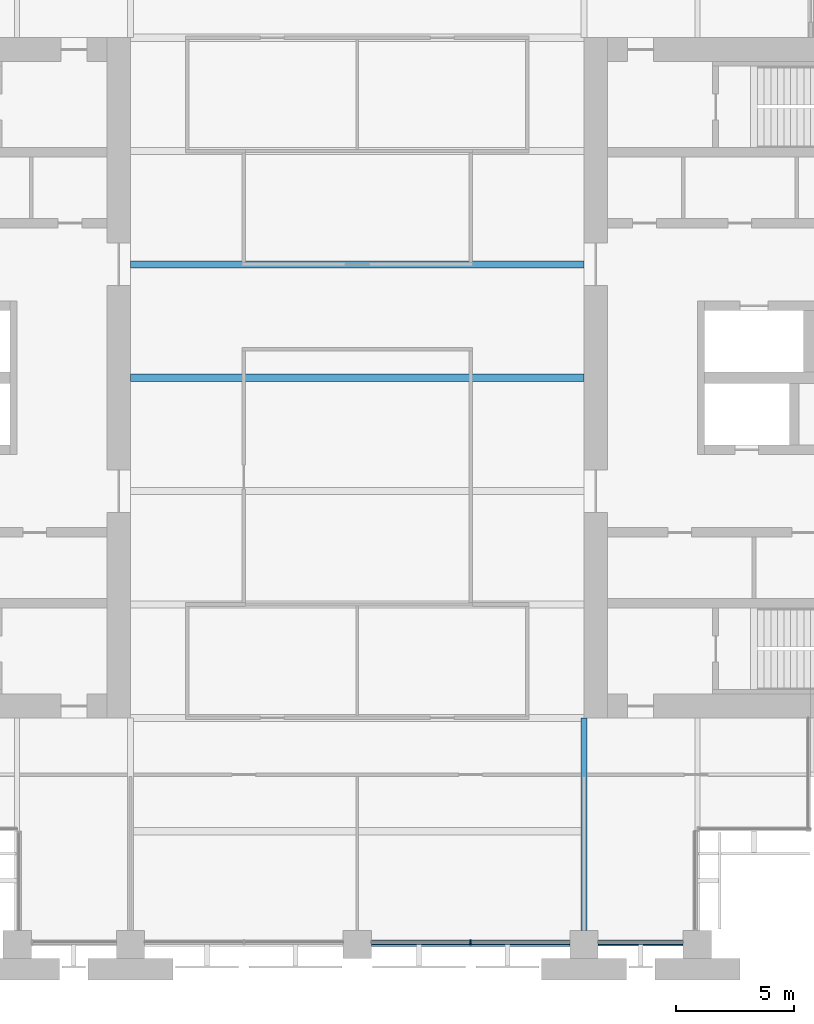
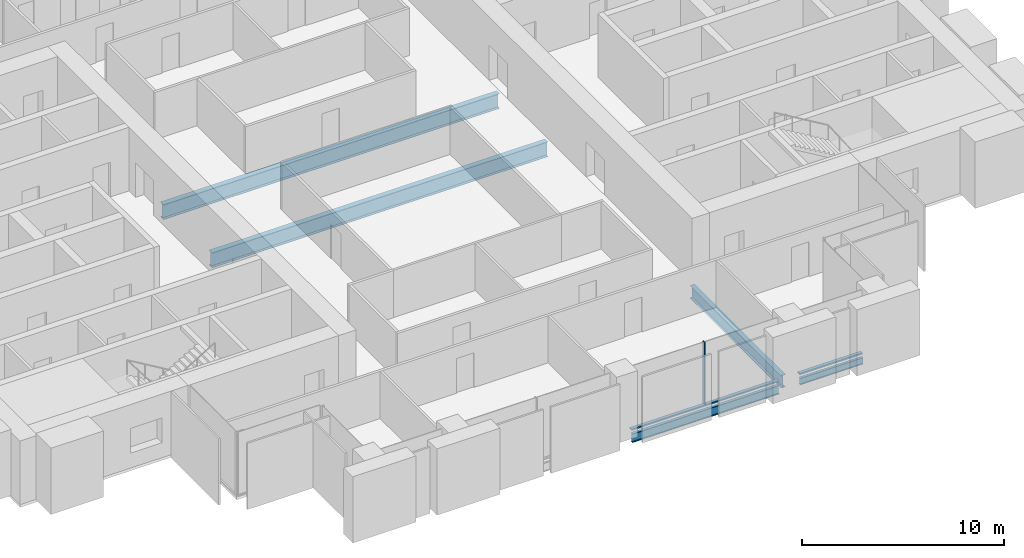
# One storey, part 3 of 14: 5 beams, 3 members, 1 element without a shape of its own.
"""IFC4 building model written with IfcOpenShell, lengths in metres."""

from ifc_helpers import new_model, si_unit, direction, frame, origin, origin_2d, place, context, subcontext, project, spatial, rectangle, i_section, extrude, material, material_profile, profile_set, type_object, element, aggregate, save


model = new_model("IFC4")

# Units and contexts
model_context = context("Model", 3, precision=1e-05, world=origin(), true_north=direction((0.0, 1.0)))
body_context = subcontext(model_context, "Body", "Model", "MODEL_VIEW")
ifc_project = project(units=[si_unit("LENGTHUNIT", "METRE"), si_unit("AREAUNIT", "SQUARE_METRE"), si_unit("VOLUMEUNIT", "CUBIC_METRE"), si_unit("PLANEANGLEUNIT", "RADIAN"), si_unit("MASSUNIT", "GRAM", prefix="KILO")], contexts=[model_context])

# Site, building, storey
site_placement = place(None, origin())
site = spatial("IfcSite", under=ifc_project, at=site_placement, CompositionType="ELEMENT")
building_placement = place(site_placement, origin())
building = spatial("IfcBuilding", under=site, at=building_placement, Name="Baori Bourse Tower", CompositionType="ELEMENT")
storey_placement = place(building_placement, frame((0.0, 0.0, 136.10009765625)))
storey = spatial("IfcBuildingStorey", under=building, at=storey_placement, Name="L29", CompositionType="ELEMENT", Elevation=136.10009765625)

# Curtain wall, members
ifc_material_1 = material(Name="Pale anodised aluminium", Category="aluminium")
curtain_wall_type = type_object("IfcCurtainWallType", Name="CW1 Curtain wall", PredefinedType="NOTDEFINED", material=ifc_material_1)
curtain_wall_placement = place(storey_placement, origin())
curtain_wall = element("IfcCurtainWall", 1, at=curtain_wall_placement, inside=storey, type_object=curtain_wall_type, Name="Curtain wall CW1 L29 11", PredefinedType="NOTDEFINED")
ifc_material_2 = material(Name="Pale anodised aluminium", Category="aluminium")
ifc_material_profile_1 = material_profile(ifc_material_2, rectangle(XDim=0.199951171875, YDim=0.06005859375, at=origin_2d()), Name="Mullion 60x200")
ifc_profile_set_1 = profile_set([ifc_material_profile_1], Name="Pale anodised aluminium")
member_type_1 = type_object("IfcMemberType", Name="CW1 Curtain wall mullion", PredefinedType="MULLION", material=ifc_profile_set_1)
member_1_placement = place(storey_placement, frame((33.60009765625, 0.10009765625, 0.079833984375), z_axis=(0.0, 0.0, 1.0), x_axis=(0.0, 1.0, 0.0)))
member_1 = element("IfcMember", 2, at=member_1_placement, type_object=member_type_1, Name="Curtain wall CW1 mullion", PredefinedType="MULLION", context=body_context, shape_type="SweptSolid", body=[
    extrude(rectangle(XDim=0.199951171875, YDim=0.06005859375, at=origin_2d()), origin(), (0.0, 0.0, 1.0), 3.760009765625),
])
ifc_material_3 = material(Name="Pale anodised aluminium", Category="aluminium")
ifc_material_profile_2 = material_profile(ifc_material_3, rectangle(XDim=0.199951171875, YDim=0.080078125, at=origin_2d()), Name="Transom 80x200")
ifc_profile_set_2 = profile_set([ifc_material_profile_2], Name="Pale anodised aluminium")
member_type_2 = type_object("IfcMemberType", Name="CW1 Curtain wall transom", PredefinedType="USERDEFINED", material=ifc_profile_set_2)
member_2_placement = place(storey_placement, frame((29.39990234375, 0.10009765625, 0.039794921875), z_axis=(1.0, 0.0, 0.0), x_axis=(0.0, 1.0, 0.0)))
member_2 = element("IfcMember", 3, at=member_2_placement, type_object=member_type_2, Name="Curtain wall CW1 sill rail", ObjectType="TRANSOM", PredefinedType="USERDEFINED", context=body_context, shape_type="SweptSolid", body=[
    extrude(rectangle(XDim=0.199951171875, YDim=0.080078125, at=origin_2d()), origin(), (0.0, 0.0, 1.0), 8.400146484375),
])
member_3_placement = place(storey_placement, frame((39.0, 0.10009765625, 0.039794921875), z_axis=(1.0, 0.0, 0.0), x_axis=(0.0, 1.0, 0.0)))
member_3 = element("IfcMember", 4, at=member_3_placement, type_object=member_type_2, Name="Curtain wall CW1 sill rail", ObjectType="TRANSOM", PredefinedType="USERDEFINED", context=body_context, shape_type="SweptSolid", body=[
    extrude(rectangle(XDim=0.199951171875, YDim=0.080078125, at=origin_2d()), origin(), (0.0, 0.0, 1.0), 3.60009765625),
])
aggregate(curtain_wall, [member_2, member_1, member_3])

# Beams
ifc_material_4 = material(Name="Steel A992 Gr 50", Category="steel")
ifc_material_profile_3 = material_profile(ifc_material_4, i_section(OverallWidth=0.140380859375, OverallDepth=0.40380859375, WebThickness=0.007080078125, FlangeThickness=0.01123046875, at=origin_2d()), Name="W16x31")
ifc_profile_set_3 = profile_set([ifc_material_profile_3], Name="Steel A992 Gr 50")
beam_type_1 = type_object("IfcBeamType", Name="Edge beam W16x31", PredefinedType="BEAM", material=ifc_profile_set_3)
beam_1_placement = place(storey_placement, frame((39.0, 0.0, -0.362060546875), z_axis=(1.0, 0.0, 0.0), x_axis=(0.0, 1.0, 0.0)))
element("IfcBeam", 5, at=beam_1_placement, inside=storey, type_object=beam_type_1, Name="Edge beam L29", PredefinedType="BEAM", context=body_context, shape_type="SweptSolid", body=[
    extrude(i_section(OverallWidth=0.140380859375, OverallDepth=0.40380859375, WebThickness=0.007080078125, FlangeThickness=0.01123046875, at=origin_2d()), origin(), (0.0, 0.0, 1.0), 3.60009765625),
])
ifc_material_5 = material(Name="Steel A992 Gr 50", Category="steel")
ifc_material_profile_4 = material_profile(ifc_material_5, i_section(OverallWidth=0.1650390625, OverallDepth=0.52587890625, WebThickness=0.0087890625, FlangeThickness=0.011474609375, at=origin_2d()), Name="W21x44")
ifc_profile_set_4 = profile_set([ifc_material_profile_4], Name="Steel A992 Gr 50")
beam_type_2 = type_object("IfcBeamType", Name="Edge beam W21x44", PredefinedType="BEAM", material=ifc_profile_set_4)
beam_2_placement = place(storey_placement, frame((29.39990234375, 0.0, -0.423095703125), z_axis=(1.0, 0.0, 0.0), x_axis=(0.0, 1.0, 0.0)))
element("IfcBeam", 6, at=beam_2_placement, inside=storey, type_object=beam_type_2, Name="Edge beam L29", PredefinedType="BEAM", context=body_context, shape_type="SweptSolid", body=[
    extrude(i_section(OverallWidth=0.1650390625, OverallDepth=0.52587890625, WebThickness=0.0087890625, FlangeThickness=0.011474609375, at=origin_2d()), origin(), (0.0, 0.0, 1.0), 8.400146484375),
])
ifc_material_6 = material(Name="Steel A992 Gr 50", Category="steel")
ifc_material_profile_5 = material_profile(ifc_material_6, i_section(OverallWidth=0.3046875, OverallDepth=0.904296875, WebThickness=0.01513671875, FlangeThickness=0.02001953125, at=origin_2d()), Name="W36x135")
ifc_profile_set_5 = profile_set([ifc_material_profile_5], Name="Steel A992 Gr 50")
beam_type_3 = type_object("IfcBeamType", Name="Floor beam W36x135", PredefinedType="BEAM", material=ifc_profile_set_5)
for number, where, z_axis, x_axis, name in (
    (7, (19.199951171875, 24.0, -0.6123046875), (1.0, 0.0, 0.0), (0.0, 1.0, 0.0), "Floor beam L29"),
    (8, (19.199951171875, 28.800048828125, -0.6123046875), (1.0, 0.0, 0.0), (0.0, 1.0, 0.0), "Floor beam L29"),
):
    element("IfcBeam", number, at=place(storey_placement, frame(where, z_axis=z_axis, x_axis=x_axis)), inside=storey, type_object=beam_type_3, Name=name, PredefinedType="BEAM", context=body_context, shape_type="SweptSolid", body=[
        extrude(i_section(OverallWidth=0.3046875, OverallDepth=0.904296875, WebThickness=0.01513671875, FlangeThickness=0.02001953125, at=origin_2d()), origin(), (0.0, 0.0, 1.0), 19.199951171875),
    ])
ifc_material_7 = material(Name="Steel A992 Gr 50", Category="steel")
ifc_material_profile_6 = material_profile(ifc_material_7, i_section(OverallWidth=0.26416015625, OverallDepth=0.749267578125, WebThickness=0.011962890625, FlangeThickness=0.015380859375, at=origin_2d()), Name="W30x90")
ifc_profile_set_6 = profile_set([ifc_material_profile_6], Name="Steel A992 Gr 50")
beam_type_4 = type_object("IfcBeamType", Name="Girder W30x90", PredefinedType="BEAM", material=ifc_profile_set_6)
beam_3_placement = place(storey_placement, frame((38.39990234375, 0.60009765625, -0.53466796875), z_axis=(0.0, 1.0, 0.0), x_axis=(-1.0, 0.0, 0.0)))
element("IfcBeam", 9, at=beam_3_placement, inside=storey, type_object=beam_type_4, Name="Girder L29", PredefinedType="BEAM", context=body_context, shape_type="SweptSolid", body=[
    extrude(i_section(OverallWidth=0.26416015625, OverallDepth=0.749267578125, WebThickness=0.011962890625, FlangeThickness=0.015380859375, at=origin_2d()), origin(), (0.0, 0.0, 1.0), 9.0),
])

save(model, "model.ifc")
